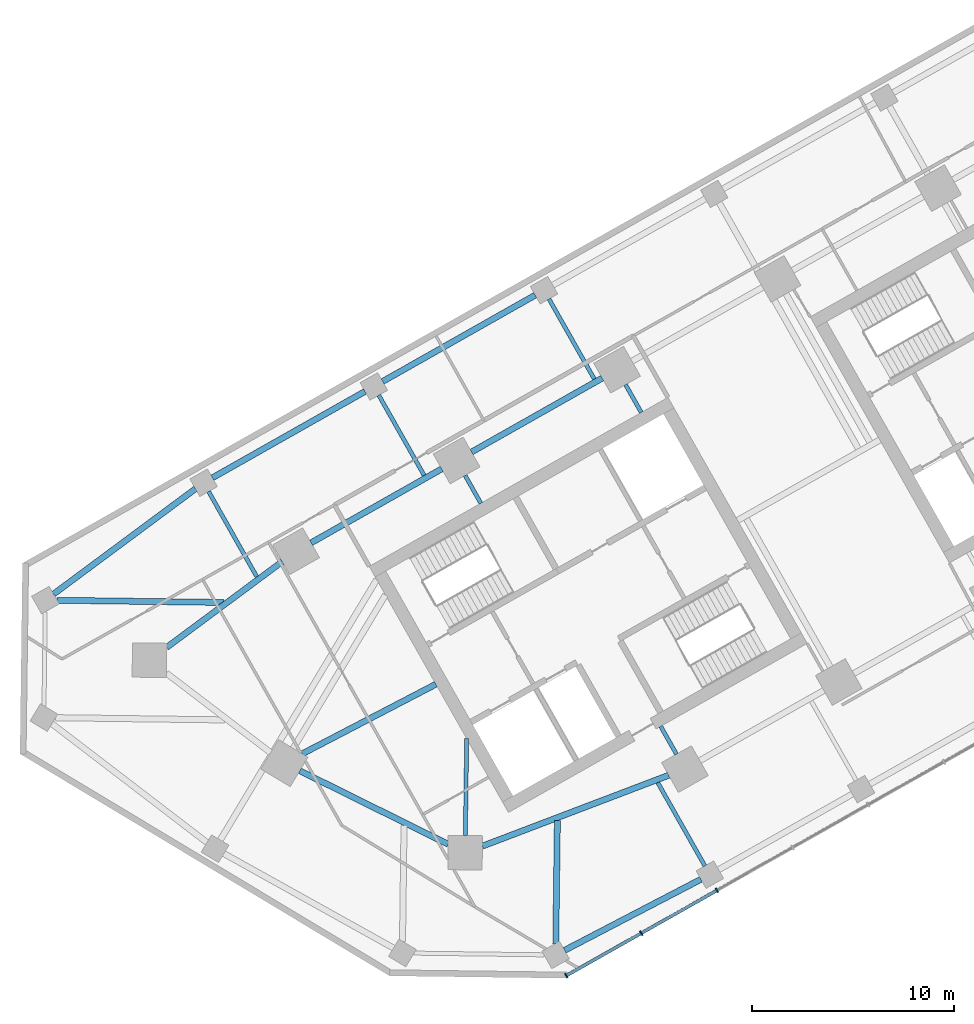
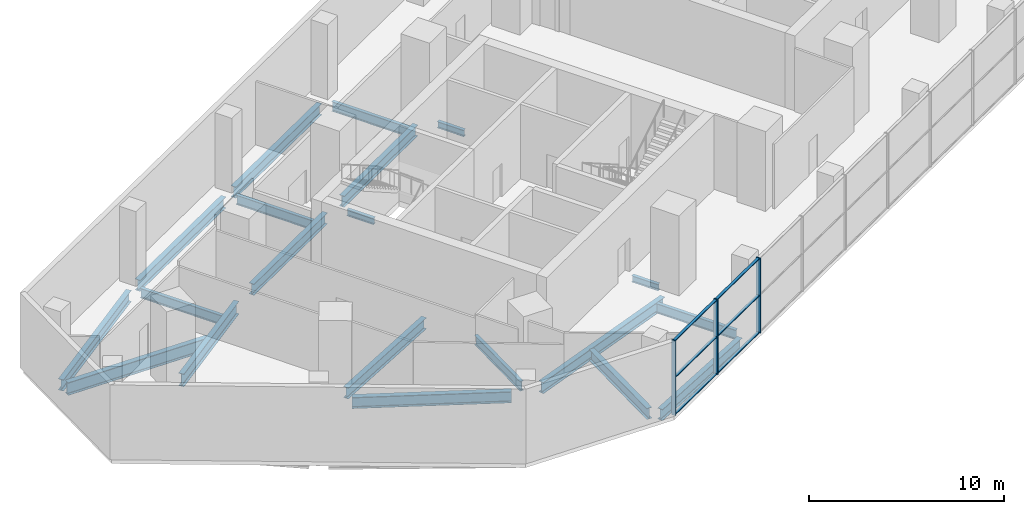
# One storey, part 2 of 16: 20 beams, 9 members, 1 element without a shape of its own.
"""IFC4 building model written with IfcOpenShell, lengths in metres."""

from ifc_helpers import new_model, si_unit, direction, frame, origin, origin_2d, place, context, subcontext, project, spatial, rectangle, i_section, extrude, material, material_profile, profile_set, type_object, element, aggregate, save


model = new_model("IFC4")

# Units and contexts
model_context = context("Model", 3, precision=1e-05, world=origin(), true_north=direction((0.0, 1.0)))
body_context = subcontext(model_context, "Body", "Model", "MODEL_VIEW")
ifc_project = project(units=[si_unit("LENGTHUNIT", "METRE"), si_unit("AREAUNIT", "SQUARE_METRE"), si_unit("VOLUMEUNIT", "CUBIC_METRE"), si_unit("PLANEANGLEUNIT", "RADIAN"), si_unit("MASSUNIT", "GRAM", prefix="KILO")], contexts=[model_context])

# Site, building, storey
site_placement = place(None, origin())
site = spatial("IfcSite", under=ifc_project, at=site_placement, CompositionType="ELEMENT")
building_placement = place(site_placement, origin())
building = spatial("IfcBuilding", under=site, at=building_placement, Name="Binnacle Exchange Tower", CompositionType="ELEMENT")
storey_placement = place(building_placement, frame((0.0, 0.0, 21.5)))
storey = spatial("IfcBuildingStorey", under=building, at=storey_placement, Name="L04", CompositionType="ELEMENT", Elevation=21.5)

# Curtain wall, members
ifc_material_1 = material(Name="Bronze anodised aluminium frame", Category="aluminium")
curtain_wall_type = type_object("IfcCurtainWallType", Name="External wall - curtain wall podium harbour front", PredefinedType="NOTDEFINED", material=ifc_material_1)
curtain_wall_placement = place(storey_placement, origin())
curtain_wall = element("IfcCurtainWall", 1, at=curtain_wall_placement, inside=storey, type_object=curtain_wall_type, Name="External wall curtain wall CW3-P06 L04", PredefinedType="NOTDEFINED")
ifc_material_profile_1 = material_profile(ifc_material_1, rectangle(XDim=0.25, YDim=0.070068359375, at=origin_2d()), Name="AL 70x250")
ifc_profile_set_1 = profile_set([ifc_material_profile_1], Name="Bronze anodised aluminium frame")
member_type_1 = type_object("IfcMemberType", Name="CW3 MULLION 70x250", PredefinedType="MULLION", material=ifc_profile_set_1)
member_1_placement = place(storey_placement, frame((-36.85400390625, 21.404052734375, 0.0), z_axis=(0.0, 0.0, 1.0), x_axis=(-0.492423763004, 0.870355581144, 0.0)))
member_1 = element("IfcMember", 2, at=member_1_placement, type_object=member_type_1, Name="CW3-P06 mullion 1", PredefinedType="MULLION", context=body_context, shape_type="SweptSolid", body=[
    extrude(rectangle(XDim=0.25, YDim=0.070068359375, at=origin_2d()), origin(), (0.0, 0.0, 1.0), 4.679931640625),
])
member_2_placement = place(storey_placement, frame((-33.136962890625, 23.50732421875, 0.0), z_axis=(0.0, 0.0, 1.0), x_axis=(-0.492423763004, 0.870355581144, 0.0)))
member_2 = element("IfcMember", 3, at=member_2_placement, type_object=member_type_1, Name="CW3-P06 mullion 2", PredefinedType="MULLION", context=body_context, shape_type="SweptSolid", body=[
    extrude(rectangle(XDim=0.25, YDim=0.070068359375, at=origin_2d()), origin(), (0.0, 0.0, 1.0), 4.679931640625),
])
member_3_placement = place(storey_placement, frame((-29.38916015625, 25.62744140625, 0.0), z_axis=(0.0, 0.0, 1.0), x_axis=(-0.492423763004, 0.870355581144, 0.0)))
member_3 = element("IfcMember", 4, at=member_3_placement, type_object=member_type_1, Name="CW3-P06 mullion 3", PredefinedType="MULLION", context=body_context, shape_type="SweptSolid", body=[
    extrude(rectangle(XDim=0.25, YDim=0.070068359375, at=origin_2d()), origin(), (0.0, 0.0, 1.0), 4.679931640625),
])
ifc_material_profile_2 = material_profile(ifc_material_1, rectangle(XDim=0.159912109375, YDim=0.050048828125, at=origin_2d()), Name="AL 160x50")
ifc_profile_set_2 = profile_set([ifc_material_profile_2], Name="Bronze anodised aluminium frame")
member_type_2 = type_object("IfcMemberType", Name="CW3 TRANSOM 50x160", PredefinedType="USERDEFINED", material=ifc_profile_set_2)
member_4_placement = place(storey_placement, frame((-36.823486328125, 21.42138671875, 0.02490234375), z_axis=(0.870356022884, 0.492422982231, 0.0), x_axis=(-0.492422982231, 0.870356022884, 0.0)))
member_4 = element("IfcMember", 5, at=member_4_placement, type_object=member_type_2, Name="CW3-P06 transom 1.1", ObjectType="TRANSOM", PredefinedType="USERDEFINED", context=body_context, shape_type="SweptSolid", body=[
    extrude(rectangle(XDim=0.159912109375, YDim=0.050048828125, at=origin_2d()), origin(), (0.0, 0.0, 1.0), 4.200927734375),
])
member_5_placement = place(storey_placement, frame((-36.823486328125, 21.42138671875, 2.340087890625), z_axis=(0.870356022884, 0.492422982231, 0.0), x_axis=(-0.492422982231, 0.870356022884, 0.0)))
member_5 = element("IfcMember", 6, at=member_5_placement, type_object=member_type_2, Name="CW3-P06 transom 1.2", ObjectType="TRANSOM", PredefinedType="USERDEFINED", context=body_context, shape_type="SweptSolid", body=[
    extrude(rectangle(XDim=0.159912109375, YDim=0.050048828125, at=origin_2d()), origin(), (0.0, 0.0, 1.0), 4.200927734375),
])
member_6_placement = place(storey_placement, frame((-36.823486328125, 21.42138671875, 4.655029296875), z_axis=(0.870356022884, 0.492422982231, 0.0), x_axis=(-0.492422982231, 0.870356022884, 0.0)))
member_6 = element("IfcMember", 7, at=member_6_placement, type_object=member_type_2, Name="CW3-P06 transom 1.3", ObjectType="TRANSOM", PredefinedType="USERDEFINED", context=body_context, shape_type="SweptSolid", body=[
    extrude(rectangle(XDim=0.159912109375, YDim=0.050048828125, at=origin_2d()), origin(), (0.0, 0.0, 1.0), 4.200927734375),
])
member_7_placement = place(storey_placement, frame((-33.1064453125, 23.5244140625, 0.02490234375), z_axis=(0.870349143132, 0.492435141972, 0.0), x_axis=(-0.492435141972, 0.870349143132, 0.0)))
member_7 = element("IfcMember", 8, at=member_7_placement, type_object=member_type_2, Name="CW3-P06 transom 2.1", ObjectType="TRANSOM", PredefinedType="USERDEFINED", context=body_context, shape_type="SweptSolid", body=[
    extrude(rectangle(XDim=0.159912109375, YDim=0.050048828125, at=origin_2d()), origin(), (0.0, 0.0, 1.0), 4.236083984375),
])
member_8_placement = place(storey_placement, frame((-33.1064453125, 23.5244140625, 2.340087890625), z_axis=(0.870349143132, 0.492435141972, 0.0), x_axis=(-0.492435141972, 0.870349143132, 0.0)))
member_8 = element("IfcMember", 9, at=member_8_placement, type_object=member_type_2, Name="CW3-P06 transom 2.2", ObjectType="TRANSOM", PredefinedType="USERDEFINED", context=body_context, shape_type="SweptSolid", body=[
    extrude(rectangle(XDim=0.159912109375, YDim=0.050048828125, at=origin_2d()), origin(), (0.0, 0.0, 1.0), 4.236083984375),
])
member_9_placement = place(storey_placement, frame((-33.1064453125, 23.5244140625, 4.655029296875), z_axis=(0.870349143132, 0.492435141972, 0.0), x_axis=(-0.492435141972, 0.870349143132, 0.0)))
member_9 = element("IfcMember", 10, at=member_9_placement, type_object=member_type_2, Name="CW3-P06 transom 2.3", ObjectType="TRANSOM", PredefinedType="USERDEFINED", context=body_context, shape_type="SweptSolid", body=[
    extrude(rectangle(XDim=0.159912109375, YDim=0.050048828125, at=origin_2d()), origin(), (0.0, 0.0, 1.0), 4.236083984375),
])
aggregate(curtain_wall, [member_1, member_2, member_3, member_4, member_5, member_6, member_7, member_8, member_9])

# Beams
ifc_material_2 = material(Name="Steel S355 (SHN355)", Category="steel")
ifc_material_profile_3 = material_profile(ifc_material_2, i_section(OverallWidth=0.300048828125, OverallDepth=0.699951171875, WebThickness=0.012939453125, FlangeThickness=0.02392578125, FilletRadius=0.028076171875, at=origin_2d()), Name="H 700x300x13x24")
ifc_profile_set_3 = profile_set([ifc_material_profile_3], Name="Steel S355 (SHN355)")
beam_type_1 = type_object("IfcBeamType", Name="Edge girder H 700x300x13x24 Steel S355 (SHN355)", PredefinedType="SPANDREL", material=ifc_profile_set_3)
beam_1_placement = place(storey_placement, frame((-62.2421875, 40.302978515625, -0.699951171875), z_axis=(0.803179419827, 0.5957372068, 0.0), x_axis=(-0.5957372068, 0.803179419827, 0.0)))
element("IfcBeam", 11, at=beam_1_placement, inside=storey, type_object=beam_type_1, Name="S:BM:edge:L04:015", PredefinedType="SPANDREL", context=body_context, shape_type="SweptSolid", body=[
    extrude(i_section(OverallWidth=0.300048828125, OverallDepth=0.699951171875, WebThickness=0.012939453125, FlangeThickness=0.02392578125, FilletRadius=0.028076171875, at=origin_2d()), origin(), (0.0, 0.0, 1.0), 8.750244140625),
])
beam_2_placement = place(storey_placement, frame((-54.374267578125, 46.06201171875, -0.699951171875), z_axis=(0.870345980185, 0.492440732247, 0.0), x_axis=(-0.492440732247, 0.870345980185, 0.0)))
element("IfcBeam", 12, at=beam_2_placement, inside=storey, type_object=beam_type_1, Name="S:BM:edge:L04:018", PredefinedType="SPANDREL", context=body_context, shape_type="SweptSolid", body=[
    extrude(i_section(OverallWidth=0.300048828125, OverallDepth=0.699951171875, WebThickness=0.012939453125, FlangeThickness=0.02392578125, FilletRadius=0.028076171875, at=origin_2d()), origin(), (0.0, 0.0, 1.0), 8.68408203125),
])
beam_3_placement = place(storey_placement, frame((-50.0478515625, 31.55224609375, -0.699951171875), z_axis=(0.896059216286, -0.443934545749, 0.0), x_axis=(0.443934545749, 0.896059216286, 0.0)))
element("IfcBeam", 13, at=beam_3_placement, inside=storey, type_object=beam_type_1, Name="S:BM:edge:L04:020", PredefinedType="SPANDREL", context=body_context, shape_type="SweptSolid", body=[
    extrude(i_section(OverallWidth=0.300048828125, OverallDepth=0.699951171875, WebThickness=0.012939453125, FlangeThickness=0.02392578125, FilletRadius=0.028076171875, at=origin_2d()), origin(), (0.0, 0.0, 1.0), 8.197509765625),
])
beam_4_placement = place(storey_placement, frame((-45.94580078125, 50.830810546875, -0.699951171875), z_axis=(0.870370078582, 0.492398138003, 0.0), x_axis=(-0.492398138003, 0.870370078582, 0.0)))
element("IfcBeam", 14, at=beam_4_placement, inside=storey, type_object=beam_type_1, Name="S:BM:edge:L04:021", PredefinedType="SPANDREL", context=body_context, shape_type="SweptSolid", body=[
    extrude(i_section(OverallWidth=0.300048828125, OverallDepth=0.699951171875, WebThickness=0.012939453125, FlangeThickness=0.02392578125, FilletRadius=0.028076171875, at=origin_2d()), origin(), (0.0, 0.0, 1.0), 8.683837890625),
])
beam_5_placement = place(storey_placement, frame((-43.019775390625, 46.5, -0.699951171875), z_axis=(-0.870364477798, -0.492408037898, 0.0), x_axis=(0.492408037898, -0.870364477798, 0.0)))
element("IfcBeam", 15, at=beam_5_placement, inside=storey, type_object=beam_type_1, Name="S:BM:edge:L04:023", PredefinedType="SPANDREL", context=body_context, shape_type="SweptSolid", body=[
    extrude(i_section(OverallWidth=0.300048828125, OverallDepth=0.699951171875, WebThickness=0.012939453125, FlangeThickness=0.02392578125, FilletRadius=0.028076171875, at=origin_2d()), origin(), (0.0, 0.0, 1.0), 7.4296875),
])
beam_6_placement = place(storey_placement, frame((-35.073486328125, 50.995849609375, -0.699951171875), z_axis=(-0.870372444894, -0.492393955253, 0.0), x_axis=(0.492393955253, -0.870372444894, 0.0)))
element("IfcBeam", 16, at=beam_6_placement, inside=storey, type_object=beam_type_1, Name="S:BM:edge:L04:027", PredefinedType="SPANDREL", context=body_context, shape_type="SweptSolid", body=[
    extrude(i_section(OverallWidth=0.300048828125, OverallDepth=0.699951171875, WebThickness=0.012939453125, FlangeThickness=0.02392578125, FilletRadius=0.028076171875, at=origin_2d()), origin(), (0.0, 0.0, 1.0), 7.429931640625),
])
beam_7_placement = place(storey_placement, frame((-30.184326171875, 26.17431640625, -0.699951171875), z_axis=(-0.88697979282, -0.461808236315, 0.0), x_axis=(0.461808236315, -0.88697979282, 0.0)))
element("IfcBeam", 17, at=beam_7_placement, inside=storey, type_object=beam_type_1, Name="S:BM:edge:L04:029", PredefinedType="SPANDREL", context=body_context, shape_type="SweptSolid", body=[
    extrude(i_section(OverallWidth=0.300048828125, OverallDepth=0.699951171875, WebThickness=0.012939453125, FlangeThickness=0.02392578125, FilletRadius=0.028076171875, at=origin_2d()), origin(), (0.0, 0.0, 1.0), 7.610107421875),
])
ifc_material_profile_4 = material_profile(ifc_material_2, i_section(OverallWidth=0.302001953125, OverallDepth=0.7080078125, WebThickness=0.014892578125, FlangeThickness=0.028076171875, FilletRadius=0.028076171875, at=origin_2d()), Name="H 708x302x15x28")
ifc_profile_set_4 = profile_set([ifc_material_profile_4], Name="Steel S355 (SHN355)")
beam_type_2 = type_object("IfcBeamType", Name="Edge girder H 708x302x15x28 Steel S355 (SHN355)", PredefinedType="SPANDREL", material=ifc_profile_set_4)
beam_8_placement = place(storey_placement, frame((-41.00341796875, 27.81982421875, -0.7041015625), z_axis=(0.934628738252, 0.355624973297, 0.0), x_axis=(-0.355624973297, 0.934628738252, 0.0)))
element("IfcBeam", 18, at=beam_8_placement, inside=storey, type_object=beam_type_2, Name="S:BM:edge:L04:024", PredefinedType="SPANDREL", context=body_context, shape_type="SweptSolid", body=[
    extrude(i_section(OverallWidth=0.302001953125, OverallDepth=0.7080078125, WebThickness=0.014892578125, FlangeThickness=0.028076171875, FilletRadius=0.028076171875, at=origin_2d()), origin(), (0.0, 0.0, 1.0), 9.869384765625),
])
ifc_material_profile_5 = material_profile(ifc_material_2, i_section(OverallWidth=0.300048828125, OverallDepth=0.800048828125, WebThickness=0.013916015625, FlangeThickness=0.02587890625, FilletRadius=0.028076171875, at=origin_2d()), Name="H 800x300x14x26")
ifc_profile_set_5 = profile_set([ifc_material_profile_5], Name="Steel S355 (SHN355)")
beam_type_3 = type_object("IfcBeamType", Name="Edge girder H 800x300x14x26 Steel S355 (SHN355)", PredefinedType="SPANDREL", material=ifc_profile_set_5)
beam_9_placement = place(storey_placement, frame((-50.913818359375, 41.912353515625, -0.75), z_axis=(-0.80288535334, -0.59613346609, 0.0), x_axis=(0.59613346609, -0.80288535334, 0.0)))
element("IfcBeam", 19, at=beam_9_placement, inside=storey, type_object=beam_type_3, Name="S:BM:edge:L04:019", PredefinedType="SPANDREL", context=body_context, shape_type="SweptSolid", body=[
    extrude(i_section(OverallWidth=0.300048828125, OverallDepth=0.800048828125, WebThickness=0.013916015625, FlangeThickness=0.02587890625, FilletRadius=0.028076171875, at=origin_2d()), origin(), (0.0, 0.0, 1.0), 7.125244140625),
])
ifc_material_profile_6 = material_profile(ifc_material_2, i_section(OverallWidth=0.199951171875, OverallDepth=0.39990234375, WebThickness=0.008056640625, FlangeThickness=0.012939453125, FilletRadius=0.01611328125, at=origin_2d()), Name="H 400x200x8x13")
ifc_profile_set_6 = profile_set([ifc_material_profile_6], Name="Steel S355 (SHN355)")
beam_type_4 = type_object("IfcBeamType", Name="Floor beam H 400x200x8x13 Steel S355 (SHN355)", PredefinedType="BEAM", material=ifc_profile_set_6)
beam_10_placement = place(storey_placement, frame((-41.861328125, 46.178955078125, -0.550048828125), z_axis=(0.492366981934, -0.870387703901, 0.0), x_axis=(0.870387703901, 0.492366981934, 0.0)))
element("IfcBeam", 20, at=beam_10_placement, inside=storey, type_object=beam_type_4, Name="S:BM:cross:L04:083", PredefinedType="BEAM", context=body_context, shape_type="SweptSolid", body=[
    extrude(i_section(OverallWidth=0.199951171875, OverallDepth=0.39990234375, WebThickness=0.008056640625, FlangeThickness=0.012939453125, FilletRadius=0.01611328125, at=origin_2d()), origin(), (0.0, 0.0, 1.0), 1.584228515625),
])
beam_11_placement = place(storey_placement, frame((-33.915283203125, 50.674560546875, -0.550048828125), z_axis=(0.492483715062, -0.870321659158, 0.0), x_axis=(0.870321659158, 0.492483715062, 0.0)))
element("IfcBeam", 21, at=beam_11_placement, inside=storey, type_object=beam_type_4, Name="S:BM:cross:L04:087", PredefinedType="BEAM", context=body_context, shape_type="SweptSolid", body=[
    extrude(i_section(OverallWidth=0.199951171875, OverallDepth=0.39990234375, WebThickness=0.008056640625, FlangeThickness=0.012939453125, FilletRadius=0.01611328125, at=origin_2d()), origin(), (0.0, 0.0, 1.0), 1.58447265625),
])
beam_12_placement = place(storey_placement, frame((-31.394287109375, 32.375, -0.550048828125), z_axis=(-0.492366981934, 0.870387703901, 0.0), x_axis=(-0.870387703901, -0.492366981934, 0.0)))
element("IfcBeam", 22, at=beam_12_placement, inside=storey, type_object=beam_type_4, Name="S:BM:cross:L04:088", PredefinedType="BEAM", context=body_context, shape_type="SweptSolid", body=[
    extrude(i_section(OverallWidth=0.199951171875, OverallDepth=0.39990234375, WebThickness=0.008056640625, FlangeThickness=0.012939453125, FilletRadius=0.01611328125, at=origin_2d()), origin(), (0.0, 0.0, 1.0), 1.584228515625),
])
ifc_material_profile_7 = material_profile(ifc_material_2, i_section(OverallWidth=0.199951171875, OverallDepth=0.60009765625, WebThickness=0.010986328125, FlangeThickness=0.01708984375, FilletRadius=0.02197265625, at=origin_2d()), Name="H 600x200x11x17")
ifc_profile_set_7 = profile_set([ifc_material_profile_7], Name="Steel S355 (SHN355)")
beam_type_5 = type_object("IfcBeamType", Name="Floor beam H 600x200x11x17 Steel S355 (SHN355)", PredefinedType="BEAM", material=ifc_profile_set_7)
beam_13_placement = place(storey_placement, frame((-46.134765625, 50.1494140625, -0.64990234375), z_axis=(0.492392410291, -0.87037331892, 0.0), x_axis=(0.87037331892, 0.492392410291, 0.0)))
element("IfcBeam", 23, at=beam_13_placement, inside=storey, type_object=beam_type_5, Name="S:BM:cross:L04:081", PredefinedType="BEAM", context=body_context, shape_type="SweptSolid", body=[
    extrude(i_section(OverallWidth=0.199951171875, OverallDepth=0.60009765625, WebThickness=0.010986328125, FlangeThickness=0.01708984375, FilletRadius=0.02197265625, at=origin_2d()), origin(), (0.0, 0.0, 1.0), 4.56005859375),
])
beam_14_placement = place(storey_placement, frame((-37.706298828125, 54.917724609375, -0.64990234375), z_axis=(0.492415355874, -0.870360337619, 0.0), x_axis=(0.870360337619, 0.492415355874, 0.0)))
element("IfcBeam", 24, at=beam_14_placement, inside=storey, type_object=beam_type_5, Name="S:BM:cross:L04:085", PredefinedType="BEAM", context=body_context, shape_type="SweptSolid", body=[
    extrude(i_section(OverallWidth=0.199951171875, OverallDepth=0.60009765625, WebThickness=0.010986328125, FlangeThickness=0.01708984375, FilletRadius=0.02197265625, at=origin_2d()), origin(), (0.0, 0.0, 1.0), 4.559814453125),
])
beam_15_placement = place(storey_placement, frame((-29.98681640625, 26.840576171875, -0.64990234375), z_axis=(-0.492417108435, 0.870359346087, 0.0), x_axis=(-0.870359346087, -0.492417108435, 0.0)))
element("IfcBeam", 25, at=beam_15_placement, inside=storey, type_object=beam_type_5, Name="S:BM:cross:L04:089", PredefinedType="BEAM", context=body_context, shape_type="SweptSolid", body=[
    extrude(i_section(OverallWidth=0.199951171875, OverallDepth=0.60009765625, WebThickness=0.010986328125, FlangeThickness=0.01708984375, FilletRadius=0.02197265625, at=origin_2d()), origin(), (0.0, 0.0, 1.0), 4.73876953125),
])
ifc_material_profile_8 = material_profile(ifc_material_2, i_section(OverallWidth=0.200927734375, OverallDepth=0.60595703125, WebThickness=0.011962890625, FlangeThickness=0.02001953125, FilletRadius=0.02197265625, at=origin_2d()), Name="H 606x201x12x20")
ifc_profile_set_8 = profile_set([ifc_material_profile_8], Name="Steel S355 (SHN355)")
beam_type_6 = type_object("IfcBeamType", Name="Floor beam H 606x201x12x20 Steel S355 (SHN355)", PredefinedType="BEAM", material=ifc_profile_set_8)
beam_16_placement = place(storey_placement, frame((-54.563232421875, 45.380615234375, -0.653076171875), z_axis=(0.492430552239, -0.870351739943, 0.0), x_axis=(0.870351739943, 0.492430552239, 0.0)))
element("IfcBeam", 26, at=beam_16_placement, inside=storey, type_object=beam_type_6, Name="S:BM:cross:L04:078", PredefinedType="BEAM", context=body_context, shape_type="SweptSolid", body=[
    extrude(i_section(OverallWidth=0.200927734375, OverallDepth=0.60595703125, WebThickness=0.011962890625, FlangeThickness=0.02001953125, FilletRadius=0.02197265625, at=origin_2d()), origin(), (0.0, 0.0, 1.0), 4.848388671875),
])
beam_17_placement = place(storey_placement, frame((-41.8466796875, 28.3447265625, -0.653076171875), z_axis=(0.013120628196, 0.999913920853, 0.0), x_axis=(-0.999913920853, 0.013120628196, 0.0)))
element("IfcBeam", 27, at=beam_17_placement, inside=storey, type_object=beam_type_6, Name="S:BM:cross:L04:084", PredefinedType="BEAM", context=body_context, shape_type="SweptSolid", body=[
    extrude(i_section(OverallWidth=0.200927734375, OverallDepth=0.60595703125, WebThickness=0.011962890625, FlangeThickness=0.02001953125, FilletRadius=0.02197265625, at=origin_2d()), origin(), (0.0, 0.0, 1.0), 4.80078125),
])
ifc_material_profile_9 = material_profile(ifc_material_2, i_section(OverallWidth=0.300048828125, OverallDepth=0.699951171875, WebThickness=0.012939453125, FlangeThickness=0.02392578125, FilletRadius=0.028076171875, at=origin_2d()), Name="H 700x300x13x24")
ifc_profile_set_9 = profile_set([ifc_material_profile_9], Name="Steel S355 (SHN355)")
beam_type_7 = type_object("IfcBeamType", Name="Floor beam H 700x300x13x24 Steel S355 (SHN355)", PredefinedType="BEAM", material=ifc_profile_set_9)
beam_18_placement = place(storey_placement, frame((-37.37060546875, 23.0078125, -0.699951171875), z_axis=(0.013099663551, 0.999914195726, 0.0), x_axis=(-0.999914195726, 0.013099663551, 0.0)))
element("IfcBeam", 28, at=beam_18_placement, inside=storey, type_object=beam_type_7, Name="S:BM:cross:L04:086", PredefinedType="BEAM", context=body_context, shape_type="SweptSolid", body=[
    extrude(i_section(OverallWidth=0.300048828125, OverallDepth=0.699951171875, WebThickness=0.012939453125, FlangeThickness=0.02392578125, FilletRadius=0.028076171875, at=origin_2d()), origin(), (0.0, 0.0, 1.0), 6.07568359375),
])
ifc_material_profile_10 = material_profile(ifc_material_2, i_section(OverallWidth=0.300048828125, OverallDepth=0.800048828125, WebThickness=0.013916015625, FlangeThickness=0.02587890625, FilletRadius=0.028076171875, at=origin_2d()), Name="H 800x300x14x26")
ifc_profile_set_10 = profile_set([ifc_material_profile_10], Name="Steel S355 (SHN355)")
beam_type_8 = type_object("IfcBeamType", Name="Floor beam H 800x300x14x26 Steel S355 (SHN355)", PredefinedType="BEAM", material=ifc_profile_set_10)
beam_19_placement = place(storey_placement, frame((-62.068115234375, 39.995361328125, -0.75), z_axis=(0.999914190197, -0.013100085584, 0.0), x_axis=(0.013100085584, 0.999914190197, 0.0)))
element("IfcBeam", 29, at=beam_19_placement, inside=storey, type_object=beam_type_8, Name="S:BM:cross:L04:077", PredefinedType="BEAM", context=body_context, shape_type="SweptSolid", body=[
    extrude(i_section(OverallWidth=0.300048828125, OverallDepth=0.800048828125, WebThickness=0.013916015625, FlangeThickness=0.02587890625, FilletRadius=0.028076171875, at=origin_2d()), origin(), (0.0, 0.0, 1.0), 8.274658203125),
])
ifc_material_profile_11 = material_profile(ifc_material_2, i_section(OverallWidth=0.300048828125, OverallDepth=0.699951171875, WebThickness=0.012939453125, FlangeThickness=0.02392578125, FilletRadius=0.028076171875, at=origin_2d()), Name="H 700x300x13x24")
ifc_profile_set_11 = profile_set([ifc_material_profile_11], Name="Steel S355 (SHN355)")
beam_type_9 = type_object("IfcBeamType", Name="Spine girder H 700x300x13x24 Steel S355 (SHN355)", PredefinedType="BEAM", material=ifc_profile_set_11)
beam_20_placement = place(storey_placement, frame((-49.927734375, 32.391357421875, -0.699951171875), z_axis=(0.886979965344, 0.461807904954, 0.0), x_axis=(-0.461807904954, 0.886979965344, 0.0)))
element("IfcBeam", 30, at=beam_20_placement, inside=storey, type_object=beam_type_9, Name="S:BM:spine:L04:001", PredefinedType="BEAM", context=body_context, shape_type="SweptSolid", body=[
    extrude(i_section(OverallWidth=0.300048828125, OverallDepth=0.699951171875, WebThickness=0.012939453125, FlangeThickness=0.02392578125, FilletRadius=0.028076171875, at=origin_2d()), origin(), (0.0, 0.0, 1.0), 7.463623046875),
])

save(model, "model.ifc")
